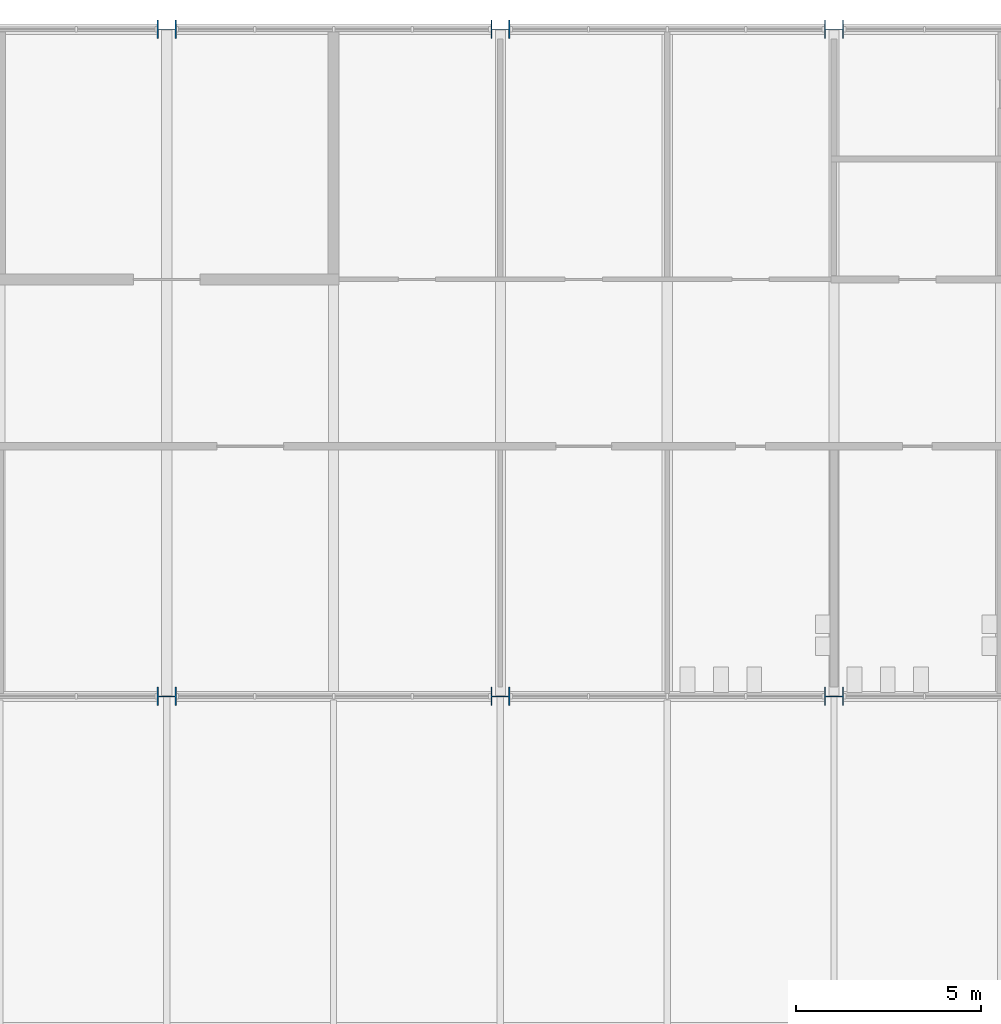
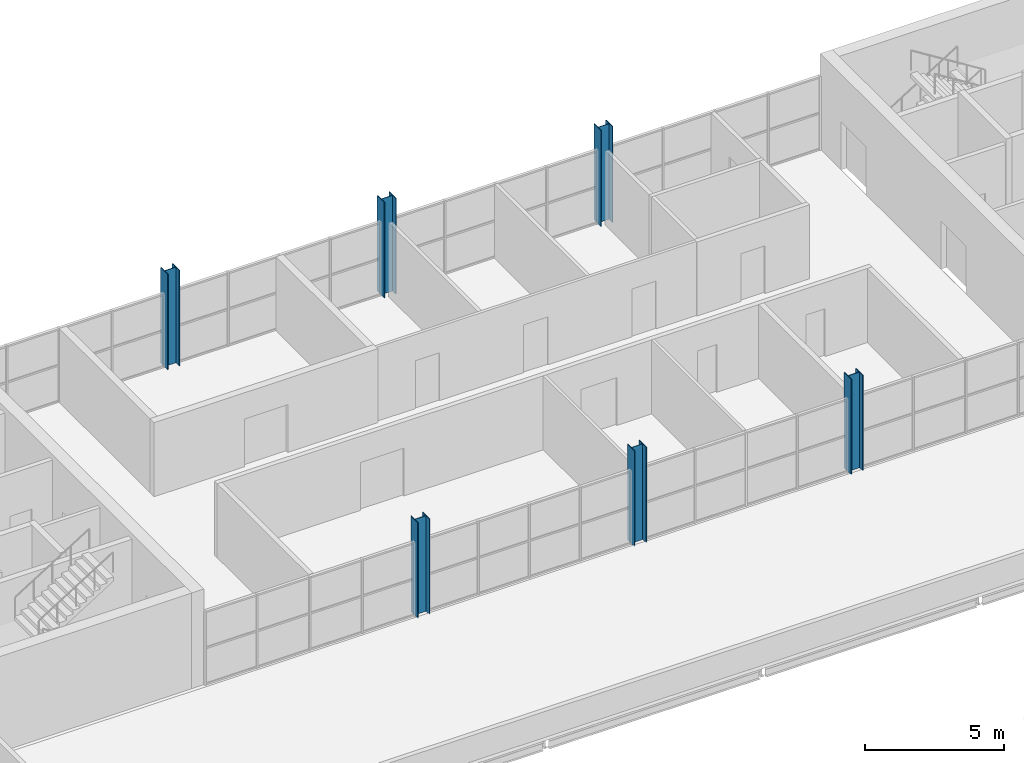
# One storey, part 2 of 50: 6 columns.
"""IFC4 building model written with IfcOpenShell, lengths in metres."""

from ifc_helpers import new_model, si_unit, direction, frame, origin, origin_2d, place, context, subcontext, project, spatial, i_section, extrude, material, material_profile, profile_set, type_object, element, save


model = new_model("IFC4")

# Units and contexts
model_context = context("Model", 3, precision=1e-05, world=origin(), true_north=direction((0.0, 1.0)))
body_context = subcontext(model_context, "Body", "Model", "MODEL_VIEW")
ifc_project = project(units=[si_unit("LENGTHUNIT", "METRE"), si_unit("AREAUNIT", "SQUARE_METRE"), si_unit("VOLUMEUNIT", "CUBIC_METRE"), si_unit("PLANEANGLEUNIT", "RADIAN"), si_unit("MASSUNIT", "GRAM", prefix="KILO")], contexts=[model_context])

# Site, building, storey
site_placement = place(None, origin())
site = spatial("IfcSite", under=ifc_project, at=site_placement, CompositionType="ELEMENT")
building_placement = place(site_placement, origin())
building = spatial("IfcBuilding", under=site, at=building_placement, Name="Corbel Yard City Hall", CompositionType="ELEMENT")
storey_placement = place(building_placement, frame((0.0, 0.0, 15.0)))
storey = spatial("IfcBuildingStorey", under=building, at=storey_placement, Name="L03", CompositionType="ELEMENT", Elevation=15.0)

# Columns
ifc_material = material(Name="Steel Grade 350", Category="steel")
ifc_material_profile = material_profile(ifc_material, i_section(OverallWidth=0.5, OverallDepth=0.513916015625, WebThickness=0.02490234375, FlangeThickness=0.031982421875, at=origin_2d()), Name="500WC340")
ifc_profile_set = profile_set([ifc_material_profile], Name="Steel Grade 350")
column_type = type_object("IfcColumnType", Name="Column 500WC340", PredefinedType="COLUMN", material=ifc_profile_set)
for number, where, z_axis, x_axis, name in (
    (1, (18.0, 99.0, 0.0), (0.0, 0.0, 1.0), (0.0, 1.0, 0.0), "Column 500WC340 L/3 L03"),
    (2, (18.0, 117.0, 0.0), (0.0, 0.0, 1.0), (0.0, 1.0, 0.0), "Column 500WC340 N/3 L03"),
    (3, (27.0, 99.0, 0.0), (0.0, 0.0, 1.0), (0.0, 1.0, 0.0), "Column 500WC340 L/4 L03"),
    (4, (27.0, 117.0, 0.0), (0.0, 0.0, 1.0), (0.0, 1.0, 0.0), "Column 500WC340 N/4 L03"),
    (5, (36.0, 99.0, 0.0), (0.0, 0.0, 1.0), (0.0, 1.0, 0.0), "Column 500WC340 L/5 L03"),
    (6, (36.0, 117.0, 0.0), (0.0, 0.0, 1.0), (0.0, 1.0, 0.0), "Column 500WC340 N/5 L03"),
):
    element("IfcColumn", number, at=place(storey_placement, frame(where, z_axis=z_axis, x_axis=x_axis)), inside=storey, type_object=column_type, Name=name, PredefinedType="COLUMN", context=body_context, shape_type="SweptSolid", body=[
        extrude(i_section(OverallWidth=0.5, OverallDepth=0.513916015625, WebThickness=0.02490234375, FlangeThickness=0.031982421875, at=origin_2d()), origin(), (0.0, 0.0, 1.0), 4.199951171875),
    ])

save(model, "model.ifc")
